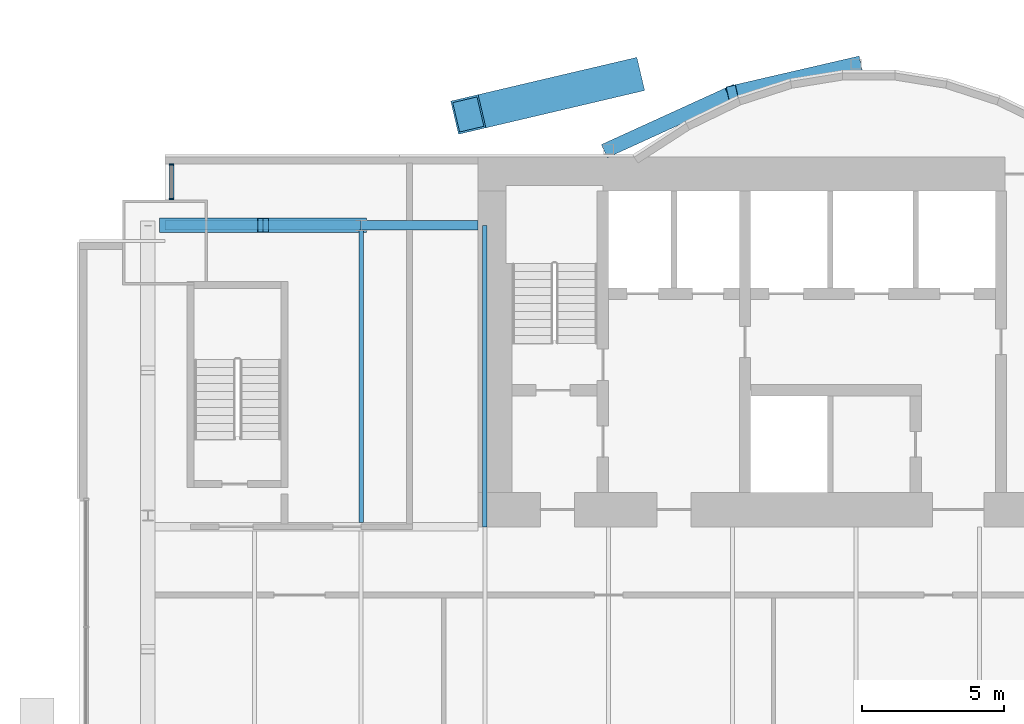
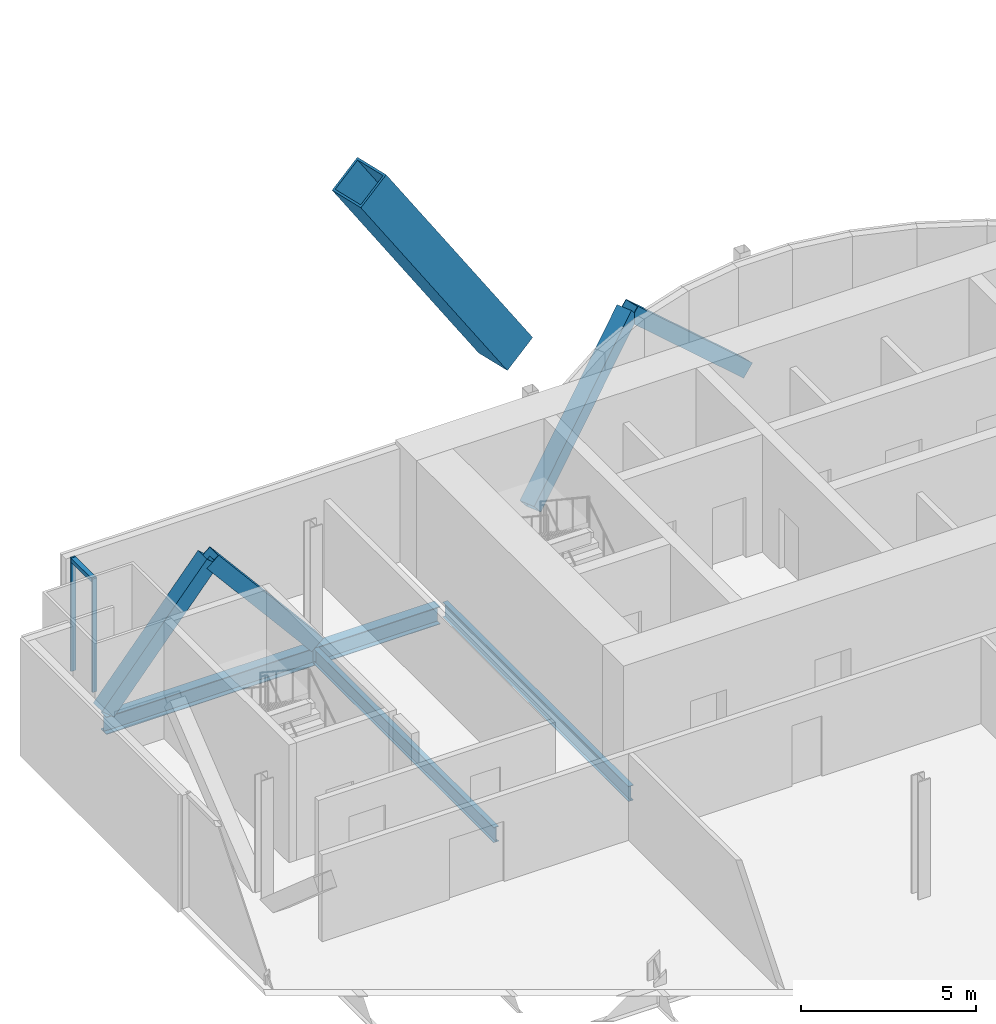
# One storey, part 11 of 23: 8 members, 4 beams, 1 element without a shape of its own.
"""IFC4 building model written with IfcOpenShell, lengths in metres."""

from ifc_helpers import new_model, si_unit, direction, frame, origin, origin_2d, place, context, subcontext, project, spatial, rectangle, hollow_rectangle, i_section, extrude, material, material_profile, profile_set, type_object, element, aggregate, save


model = new_model("IFC4")

# Units and contexts
model_context = context("Model", 3, precision=1e-05, world=origin(), true_north=direction((0.0, 1.0)))
body_context = subcontext(model_context, "Body", "Model", "MODEL_VIEW")
ifc_project = project(units=[si_unit("LENGTHUNIT", "METRE"), si_unit("AREAUNIT", "SQUARE_METRE"), si_unit("VOLUMEUNIT", "CUBIC_METRE"), si_unit("PLANEANGLEUNIT", "RADIAN"), si_unit("MASSUNIT", "GRAM", prefix="KILO")], contexts=[model_context])

# Site, building, storey
site_placement = place(None, origin())
site = spatial("IfcSite", under=ifc_project, at=site_placement, CompositionType="ELEMENT")
building_placement = place(site_placement, origin())
building = spatial("IfcBuilding", under=site, at=building_placement, Name="Bicima Exchange Tower", CompositionType="ELEMENT")
storey_placement = place(building_placement, frame((0.0, 0.0, 110.39990234375)))
storey = spatial("IfcBuildingStorey", under=building, at=storey_placement, Name="L23", CompositionType="ELEMENT", Elevation=110.39990234375)

# Member
ifc_material_1 = material(Name="Steel ASTM A572 Gr 50", Category="steel")
ifc_material_profile_1 = material_profile(ifc_material_1, hollow_rectangle(XDim=1.199951171875, YDim=1.199951171875, WallThickness=0.070068359375, at=origin_2d()))
ifc_profile_set_1 = profile_set([ifc_material_profile_1], Name="Steel ASTM A572 Gr 50")
member_type_1 = type_object("IfcMemberType", Name="Exo mega brace BOX 1200x1200x70", PredefinedType="BRACE", material=ifc_profile_set_1)
member_1_placement = place(storey_placement, frame((-16.75, 2.8125, 3.85009765625), z_axis=(-0.54817644634, -0.128864251848, 0.826375573377), x_axis=(0.228840031766, -0.973464041381, 0.0)))
element("IfcMember", 1, at=member_1_placement, inside=storey, type_object=member_type_1, Name="Exo mega brace rear", PredefinedType="BRACE", context=body_context, shape_type="SweptSolid", body=[
    extrude(hollow_rectangle(XDim=1.199951171875, YDim=1.199951171875, WallThickness=0.070068359375, at=origin_2d()), origin(), (0.0, 0.0, 1.0), 10.18505859375),
])

# Beams
ifc_material_2 = material(Name="Steel ASTM A992 Gr 50", Category="steel")
ifc_material_profile_2 = material_profile(ifc_material_2, i_section(OverallWidth=0.165771484375, OverallDepth=0.5283203125, WebThickness=0.009765625, FlangeThickness=0.013671875, at=origin_2d()))
ifc_profile_set_2 = profile_set([ifc_material_profile_2], Name="Steel ASTM A992 Gr 50")
beam_type_1 = type_object("IfcBeamType", Name="Floor beam W21x50", PredefinedType="JOIST", material=ifc_profile_set_2)
beam_1_placement = place(storey_placement, frame((-26.10009765625, -2.5625, -0.4140625), z_axis=(0.0, -1.0, 0.0), x_axis=(1.0, 0.0, 0.0)))
element("IfcBeam", 2, at=beam_1_placement, inside=storey, type_object=beam_type_1, Name="Floor beam", PredefinedType="JOIST", context=body_context, shape_type="SweptSolid", body=[
    extrude(i_section(OverallWidth=0.165771484375, OverallDepth=0.5283203125, WebThickness=0.009765625, FlangeThickness=0.013671875, at=origin_2d()), origin(), (0.0, 0.0, 1.0), 10.28515625),
])
beam_2_placement = place(storey_placement, frame((-21.75, -2.39990234375, -0.4140625), z_axis=(0.0, -1.0, 0.0), x_axis=(1.0, 0.0, 0.0)))
element("IfcBeam", 3, at=beam_2_placement, inside=storey, type_object=beam_type_1, Name="Floor beam", PredefinedType="JOIST", context=body_context, shape_type="SweptSolid", body=[
    extrude(i_section(OverallWidth=0.165771484375, OverallDepth=0.5283203125, WebThickness=0.009765625, FlangeThickness=0.013671875, at=origin_2d()), origin(), (0.0, 0.0, 1.0), 10.60009765625),
])

# Curtain wall, members
ifc_material_3 = material(Name="Anodised bronze aluminium", Category="aluminium")
curtain_wall_type = type_object("IfcCurtainWallType", Name="Front glass wall", PredefinedType="NOTDEFINED", material=ifc_material_3)
curtain_wall_placement = place(storey_placement, origin())
curtain_wall = element("IfcCurtainWall", 4, at=curtain_wall_placement, inside=storey, type_object=curtain_wall_type, Name="Front glass wall L23 run 1", PredefinedType="NOTDEFINED")
ifc_material_profile_3 = material_profile(ifc_material_3, rectangle(XDim=0.159912109375, YDim=0.06005859375, at=origin_2d()))
ifc_profile_set_3 = profile_set([ifc_material_profile_3], Name="Anodised bronze aluminium")
member_type_2 = type_object("IfcMemberType", Name="Front glass wall mullion 60 x 160", PredefinedType="MULLION", material=ifc_profile_set_3)
member_2_placement = place(storey_placement, frame((-32.77001953125, -0.260009765625, 0.0), z_axis=(0.0, 0.0, 1.0), x_axis=(1.0, 0.0, 0.0)))
member_2 = element("IfcMember", 5, at=member_2_placement, type_object=member_type_2, Name="Front glass wall mullion 1", PredefinedType="MULLION", context=body_context, shape_type="SweptSolid", body=[
    extrude(rectangle(XDim=0.159912109375, YDim=0.06005859375, at=origin_2d()), origin(), (0.0, 0.0, 1.0), 3.9501953125),
])
member_3_placement = place(storey_placement, frame((-32.77001953125, -1.469970703125, 0.0), z_axis=(0.0, 0.0, 1.0), x_axis=(1.0, 0.0, 0.0)))
member_3 = element("IfcMember", 6, at=member_3_placement, type_object=member_type_2, Name="Front glass wall mullion 2", PredefinedType="MULLION", context=body_context, shape_type="SweptSolid", body=[
    extrude(rectangle(XDim=0.159912109375, YDim=0.06005859375, at=origin_2d()), origin(), (0.0, 0.0, 1.0), 3.9501953125),
])
ifc_material_profile_4 = material_profile(ifc_material_3, rectangle(XDim=0.159912109375, YDim=0.139892578125, at=origin_2d()))
ifc_profile_set_4 = profile_set([ifc_material_profile_4], Name="Anodised bronze aluminium")
member_type_3 = type_object("IfcMemberType", Name="Front glass wall transom 140 x 160", PredefinedType="USERDEFINED", material=ifc_profile_set_4)
member_4_placement = place(storey_placement, frame((-32.77001953125, -0.2900390625, 3.880126953125), z_axis=(0.0, -1.0, 0.0), x_axis=(1.0, 0.0, 0.0)))
member_4 = element("IfcMember", 7, at=member_4_placement, type_object=member_type_3, Name="Front glass wall transom 1.1", ObjectType="TRANSOM", PredefinedType="USERDEFINED", context=body_context, shape_type="SweptSolid", body=[
    extrude(rectangle(XDim=0.159912109375, YDim=0.139892578125, at=origin_2d()), origin(), (0.0, 0.0, 1.0), 1.14990234375),
])
aggregate(curtain_wall, [member_2, member_3, member_4])

# Members
ifc_material_profile_5 = material_profile(ifc_material_1, hollow_rectangle(XDim=0.508056640625, YDim=0.508056640625, WallThickness=0.0146484375, at=origin_2d()))
ifc_profile_set_5 = profile_set([ifc_material_profile_5], Name="Steel ASTM A572 Gr 50")
member_type_4 = type_object("IfcMemberType", Name="Mega brace HSS20x20x5/8", PredefinedType="BRACE", material=ifc_profile_set_5)
member_5_placement = place(storey_placement, frame((-17.39990234375, 0.278076171875, 0.0), z_axis=(0.690628963585, 0.315060460011, 0.650975069565), x_axis=(-0.415045223819, 0.909800781592, 0.0)))
element("IfcMember", 8, at=member_5_placement, inside=storey, type_object=member_type_4, Name="Mega brace rexo", PredefinedType="BRACE", context=body_context, shape_type="SweptSolid", body=[
    extrude(hollow_rectangle(XDim=0.508056640625, YDim=0.508056640625, WallThickness=0.0146484375, at=origin_2d()), origin(), (0.0, 0.0, 1.0), 6.29833984375),
])
member_6_placement = place(storey_placement, frame((-8.699951171875, 3.26904296875, 0.0), z_axis=(-0.717605620354, -0.166050509188, 0.676364843878), x_axis=(0.225438503722, -0.974257399787, 0.0)))
element("IfcMember", 9, at=member_6_placement, inside=storey, type_object=member_type_4, Name="Mega brace rexo", PredefinedType="BRACE", context=body_context, shape_type="SweptSolid", body=[
    extrude(hollow_rectangle(XDim=0.508056640625, YDim=0.508056640625, WallThickness=0.0146484375, at=origin_2d()), origin(), (0.0, 0.0, 1.0), 6.06201171875),
])
for number, where, z_axis, x_axis, name in (
    (10, (-33.0, -2.39990234375, 0.0), (0.643834042494, 0.0, 0.765165162384), (0.0, 1.0, 0.0), "Mega brace rear"),
    (11, (-26.10009765625, -2.39990234375, 0.0), (-0.643834042494, 0.0, 0.765165162384), (0.0, -1.0, 0.0), "Mega brace rear"),
):
    element("IfcMember", number, at=place(storey_placement, frame(where, z_axis=z_axis, x_axis=x_axis)), inside=storey, type_object=member_type_4, Name=name, PredefinedType="BRACE", context=body_context, shape_type="SweptSolid", body=[
        extrude(hollow_rectangle(XDim=0.508056640625, YDim=0.508056640625, WallThickness=0.0146484375, at=origin_2d()), origin(), (0.0, 0.0, 1.0), 5.3583984375),
    ])

# Beams
ifc_material_profile_6 = material_profile(ifc_material_2, i_section(OverallWidth=0.3251953125, OverallDepth=0.612060546875, WebThickness=0.0126953125, FlangeThickness=0.01904296875, at=origin_2d()))
ifc_profile_set_6 = profile_set([ifc_material_profile_6], Name="Steel ASTM A992 Gr 50")
beam_type_2 = type_object("IfcBeamType", Name="Rear girder W24x104", PredefinedType="BEAM", material=ifc_profile_set_6)
beam_3_placement = place(storey_placement, frame((-22.0, -2.39990234375, -0.4560546875), z_axis=(-1.0, 0.0, 0.0), x_axis=(0.0, -1.0, 0.0)))
element("IfcBeam", 12, at=beam_3_placement, inside=storey, type_object=beam_type_2, Name="Rear girder", PredefinedType="BEAM", context=body_context, shape_type="SweptSolid", body=[
    extrude(i_section(OverallWidth=0.3251953125, OverallDepth=0.612060546875, WebThickness=0.0126953125, FlangeThickness=0.01904296875, at=origin_2d()), origin(), (0.0, 0.0, 1.0), 4.10009765625),
])
beam_4_placement = place(storey_placement, frame((-26.10009765625, -2.39990234375, -0.4560546875), z_axis=(-1.0, 0.0, 0.0), x_axis=(0.0, -1.0, 0.0)))
element("IfcBeam", 13, at=beam_4_placement, inside=storey, type_object=beam_type_2, Name="Rear girder", PredefinedType="BEAM", context=body_context, shape_type="SweptSolid", body=[
    extrude(i_section(OverallWidth=0.3251953125, OverallDepth=0.612060546875, WebThickness=0.0126953125, FlangeThickness=0.01904296875, at=origin_2d()), origin(), (0.0, 0.0, 1.0), 6.89990234375),
])

save(model, "model.ifc")
